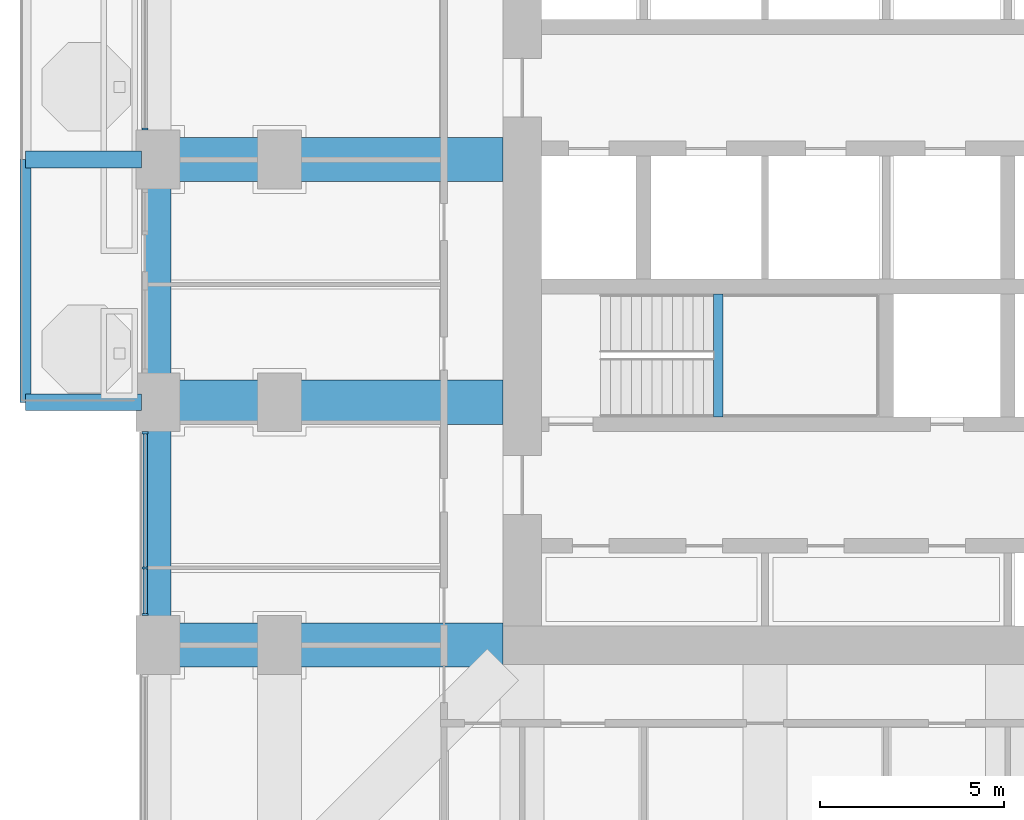
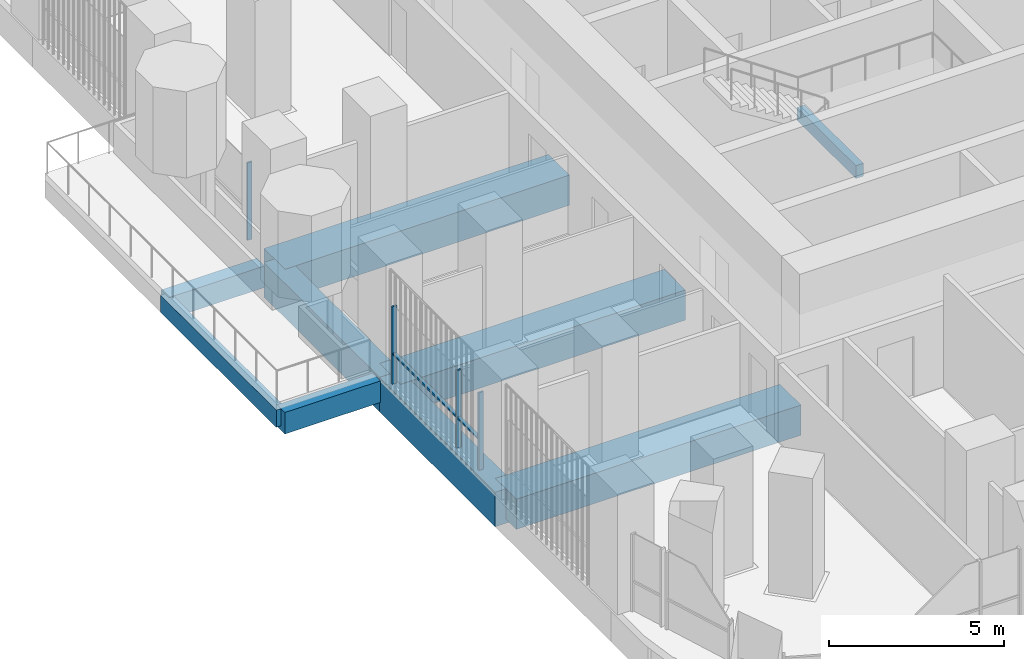
# One storey, part 4 of 22: 9 beams, 6 members, 2 elements without a shape of their own.
"""IFC4 building model written with IfcOpenShell, lengths in metres."""

from ifc_helpers import new_model, si_unit, direction, frame, origin, origin_2d, place, context, subcontext, project, spatial, rectangle, extrude, material, material_profile, profile_set, type_object, element, aggregate, save


model = new_model("IFC4")

# Units and contexts
model_context = context("Model", 3, precision=1e-05, world=origin(), true_north=direction((0.0, 1.0)))
body_context = subcontext(model_context, "Body", "Model", "MODEL_VIEW")
ifc_project = project(units=[si_unit("LENGTHUNIT", "METRE"), si_unit("AREAUNIT", "SQUARE_METRE"), si_unit("VOLUMEUNIT", "CUBIC_METRE"), si_unit("PLANEANGLEUNIT", "RADIAN"), si_unit("MASSUNIT", "GRAM", prefix="KILO")], contexts=[model_context])

# Site, building, storey
site_placement = place(None, origin())
site = spatial("IfcSite", under=ifc_project, at=site_placement, CompositionType="ELEMENT")
building_placement = place(site_placement, origin())
building = spatial("IfcBuilding", under=site, at=building_placement, Name="Cobogo Forest Laboratory Tower", CompositionType="ELEMENT")
storey_placement = place(building_placement, frame((0.0, 0.0, 94.800048828125)))
storey = spatial("IfcBuildingStorey", under=building, at=storey_placement, Name="L21", CompositionType="ELEMENT", Elevation=94.800048828125)

# Beams
ifc_material_1 = material(Name="Concrete HA-40 (C40/50)", Category="concrete")
ifc_material_profile_1 = material_profile(ifc_material_1, rectangle(XDim=0.449951171875, YDim=0.75, at=origin_2d()), Name="RC 450x750")
ifc_profile_set_1 = profile_set([ifc_material_profile_1], Name="Concrete HA-40 (C40/50)")
beam_type_1 = type_object("IfcBeamType", Name="Balcony cantilever beam 450x750", PredefinedType="BEAM", material=ifc_profile_set_1)
for number, where, z_axis, x_axis, name in (
    (1, (2.85009765625, 19.800048828125, -0.625), (-1.0, 0.0, 0.0), (0.0, -1.0, 0.0), "CB1 BAL-W1-C1 L21"),
    (2, (2.85009765625, 26.39990234375, -0.625), (-1.0, 0.0, 0.0), (0.0, -1.0, 0.0), "CB1 BAL-W1-C2 L21"),
):
    element("IfcBeam", number, at=place(storey_placement, frame(where, z_axis=z_axis, x_axis=x_axis)), inside=storey, type_object=beam_type_1, Name=name, PredefinedType="BEAM", context=body_context, shape_type="SweptSolid", body=[
        extrude(rectangle(XDim=0.449951171875, YDim=0.75, at=origin_2d()), origin(), (0.0, 0.0, 1.0), 3.150146484375),
    ])
ifc_material_profile_2 = material_profile(ifc_material_1, rectangle(XDim=0.300048828125, YDim=0.60009765625, at=origin_2d()), Name="RC 300x600")
ifc_profile_set_2 = profile_set([ifc_material_profile_2], Name="Concrete HA-40 (C40/50)")
beam_type_2 = type_object("IfcBeamType", Name="Balcony edge beam 300x600", PredefinedType="BEAM", material=ifc_profile_set_2)
beam_1_placement = place(storey_placement, frame((-0.300048828125, 19.800048828125, -0.550048828125), z_axis=(0.0, 1.0, 0.0), x_axis=(-1.0, 0.0, 0.0)))
element("IfcBeam", 3, at=beam_1_placement, inside=storey, type_object=beam_type_2, Name="BB1 BAL-W1-T1 L21", PredefinedType="BEAM", context=body_context, shape_type="SweptSolid", body=[
    extrude(rectangle(XDim=0.300048828125, YDim=0.60009765625, at=origin_2d()), origin(), (0.0, 0.0, 1.0), 6.599853515625),
])
ifc_material_profile_3 = material_profile(ifc_material_1, rectangle(XDim=0.25, YDim=0.449951171875, at=origin_2d()), Name="RC 250x450")
ifc_profile_set_3 = profile_set([ifc_material_profile_3], Name="Concrete HA-40 (C40/50)")
beam_type_3 = type_object("IfcBeamType", Name="LB1 landing beam 250x450", PredefinedType="BEAM", material=ifc_profile_set_3)
beam_2_placement = place(storey_placement, frame((18.530029296875, 19.39990234375, 1.675048828125), z_axis=(0.0, 1.0, 0.0), x_axis=(-1.0, 0.0, 0.0)))
element("IfcBeam", 4, at=beam_2_placement, inside=storey, type_object=beam_type_3, Name="Landing beam ST1 L21", PredefinedType="BEAM", context=body_context, shape_type="SweptSolid", body=[
    extrude(rectangle(XDim=0.25, YDim=0.449951171875, at=origin_2d()), origin(), (0.0, 0.0, 1.0), 3.35009765625),
])
ifc_material_profile_4 = material_profile(ifc_material_1, rectangle(XDim=1.199951171875, YDim=1.050048828125, at=origin_2d()), Name="RC 1200x1050")
ifc_profile_set_4 = profile_set([ifc_material_profile_4], Name="Concrete HA-40 (C40/50)")
beam_type_4 = type_object("IfcBeamType", Name="Laboratory floor wide beam 1200x1050", PredefinedType="BEAM", material=ifc_profile_set_4)
for number, where, z_axis, x_axis, name in (
    (5, (12.675048828125, 13.199951171875, -0.824951171875), (-1.0, 0.0, 0.0), (0.0, -1.0, 0.0), "RB1 R-C-W L21"),
    (6, (12.675048828125, 19.800048828125, -0.824951171875), (-1.0, 0.0, 0.0), (0.0, -1.0, 0.0), "RB1 R-D-W L21"),
    (7, (12.675048828125, 26.39990234375, -0.824951171875), (-1.0, 0.0, 0.0), (0.0, -1.0, 0.0), "RB1 R-E-W L21"),
):
    element("IfcBeam", number, at=place(storey_placement, frame(where, z_axis=z_axis, x_axis=x_axis)), inside=storey, type_object=beam_type_4, Name=name, PredefinedType="BEAM", context=body_context, shape_type="SweptSolid", body=[
        extrude(rectangle(XDim=1.199951171875, YDim=1.050048828125, at=origin_2d()), origin(), (0.0, 0.0, 1.0), 9.375),
    ])

# Curtain wall, member
ifc_material_2 = material(Name="Aluminium curtain wall", Category="aluminium")
curtain_wall_type = type_object("IfcCurtainWallType", Name="CW-1 unitised curtain wall, clear glazing, laboratory floors zones A and B", PredefinedType="USERDEFINED", material=ifc_material_2)
curtain_wall_1_placement = place(storey_placement, origin())
curtain_wall_1 = element("IfcCurtainWall", 8, at=curtain_wall_1_placement, inside=storey, type_object=curtain_wall_type, Name="Curtain wall 28 L21", ObjectType="UNITISED CURTAIN WALL", PredefinedType="USERDEFINED")
ifc_material_3 = material(Name="Aluminium mullion", Category="aluminium")
ifc_material_profile_5 = material_profile(ifc_material_3, rectangle(XDim=0.06005859375, YDim=0.159912109375, at=origin_2d()), Name="AL 60x160")
ifc_profile_set_5 = profile_set([ifc_material_profile_5], Name="Aluminium mullion")
member_type_1 = type_object("IfcMemberType", Name="MU-1 aluminium mullion 60x160", PredefinedType="MULLION", material=ifc_profile_set_5)
member_1_placement = place(storey_placement, frame((2.949951171875, 27.22998046875, 0.0), z_axis=(0.0, 0.0, 1.0), x_axis=(0.0, -1.0, 0.0)))
member_1 = element("IfcMember", 9, at=member_1_placement, type_object=member_type_1, Name="CW-1 mullion 2", PredefinedType="MULLION", context=body_context, shape_type="SweptSolid", body=[
    extrude(rectangle(XDim=0.06005859375, YDim=0.159912109375, at=origin_2d()), origin(), (0.0, 0.0, 1.0), 2.699951171875),
])
aggregate(curtain_wall_1, [member_1])

# Curtain wall, members
curtain_wall_2_placement = place(storey_placement, origin())
curtain_wall_2 = element("IfcCurtainWall", 10, at=curtain_wall_2_placement, inside=storey, type_object=curtain_wall_type, Name="Curtain wall 30 L21", ObjectType="UNITISED CURTAIN WALL", PredefinedType="USERDEFINED")
member_2_placement = place(storey_placement, frame((2.949951171875, 18.969970703125, 0.0), z_axis=(0.0, 0.0, 1.0), x_axis=(0.0, -1.0, 0.0)))
member_2 = element("IfcMember", 11, at=member_2_placement, type_object=member_type_1, Name="CW-1 mullion 1", PredefinedType="MULLION", context=body_context, shape_type="SweptSolid", body=[
    extrude(rectangle(XDim=0.06005859375, YDim=0.159912109375, at=origin_2d()), origin(), (0.0, 0.0, 1.0), 2.699951171875),
])
member_3_placement = place(storey_placement, frame((2.949951171875, 15.300048828125, 0.0), z_axis=(0.0, 0.0, 1.0), x_axis=(0.0, -1.0, 0.0)))
member_3 = element("IfcMember", 12, at=member_3_placement, type_object=member_type_1, Name="CW-1 mullion 2", PredefinedType="MULLION", context=body_context, shape_type="SweptSolid", body=[
    extrude(rectangle(XDim=0.06005859375, YDim=0.159912109375, at=origin_2d()), origin(), (0.0, 0.0, 1.0), 2.699951171875),
])
member_4_placement = place(storey_placement, frame((2.949951171875, 14.030029296875, 0.0), z_axis=(0.0, 0.0, 1.0), x_axis=(0.0, -1.0, 0.0)))
member_4 = element("IfcMember", 13, at=member_4_placement, type_object=member_type_1, Name="CW-1 mullion 3", PredefinedType="MULLION", context=body_context, shape_type="SweptSolid", body=[
    extrude(rectangle(XDim=0.06005859375, YDim=0.159912109375, at=origin_2d()), origin(), (0.0, 0.0, 1.0), 2.699951171875),
])

# Beams
ifc_material_profile_6 = material_profile(ifc_material_1, rectangle(XDim=0.699951171875, YDim=1.199951171875, at=origin_2d()), Name="RC 700x1200")
ifc_profile_set_6 = profile_set([ifc_material_profile_6], Name="Concrete HA-40 (C40/50)")
beam_type_5 = type_object("IfcBeamType", Name="Perimeter edge beam 700x1200", PredefinedType="BEAM", material=ifc_profile_set_6)
beam_3_placement = place(storey_placement, frame((3.300048828125, 13.199951171875, -0.900146484375), z_axis=(0.0, 1.0, 0.0), x_axis=(-1.0, 0.0, 0.0)))
element("IfcBeam", 14, at=beam_3_placement, inside=storey, type_object=beam_type_5, Name="EB1 E-W2 L21", PredefinedType="BEAM", context=body_context, shape_type="SweptSolid", body=[
    extrude(rectangle(XDim=0.699951171875, YDim=1.199951171875, at=origin_2d()), origin(), (0.0, 0.0, 1.0), 6.60009765625),
])
beam_4_placement = place(storey_placement, frame((3.300048828125, 19.800048828125, -0.900146484375), z_axis=(0.0, 1.0, 0.0), x_axis=(-1.0, 0.0, 0.0)))
element("IfcBeam", 15, at=beam_4_placement, inside=storey, type_object=beam_type_5, Name="EB1 E-W3 L21", PredefinedType="BEAM", context=body_context, shape_type="SweptSolid", body=[
    extrude(rectangle(XDim=0.699951171875, YDim=1.199951171875, at=origin_2d()), origin(), (0.0, 0.0, 1.0), 6.599853515625),
])

# Member
ifc_material_4 = material(Name="Aluminium transom", Category="aluminium")
ifc_material_profile_7 = material_profile(ifc_material_4, rectangle(XDim=0.1201171875, YDim=0.06005859375, at=origin_2d()), Name="AL 60x120")
ifc_profile_set_7 = profile_set([ifc_material_profile_7], Name="Aluminium transom")
member_type_2 = type_object("IfcMemberType", Name="TR-1 aluminium transom 60x120", PredefinedType="USERDEFINED", material=ifc_profile_set_7)
member_5_placement = place(storey_placement, frame((2.949951171875, 18.93994140625, 1.050048828125), z_axis=(0.0, -1.0, 0.0), x_axis=(1.0, 0.0, 0.0)))
member_5 = element("IfcMember", 16, at=member_5_placement, type_object=member_type_2, Name="CW-1 transom 1.1", ObjectType="TRANSOM", PredefinedType="USERDEFINED", context=body_context, shape_type="SweptSolid", body=[
    extrude(rectangle(XDim=0.1201171875, YDim=0.06005859375, at=origin_2d()), origin(), (0.0, 0.0, 1.0), 3.60986328125),
])

member_6_placement = place(storey_placement, frame((2.949951171875, 15.27001953125, 1.050048828125), z_axis=(0.0, -1.0, 0.0), x_axis=(1.0, 0.0, 0.0)))
member_6 = element("IfcMember", 17, at=member_6_placement, type_object=member_type_2, Name="CW-1 transom 2.1", ObjectType="TRANSOM", PredefinedType="USERDEFINED", context=body_context, shape_type="SweptSolid", body=[
    extrude(rectangle(XDim=0.1201171875, YDim=0.06005859375, at=origin_2d()), origin(), (0.0, 0.0, 1.0), 1.2099609375),
])

aggregate(curtain_wall_2, [member_2, member_3, member_4, member_5, member_6])

save(model, "model.ifc")
